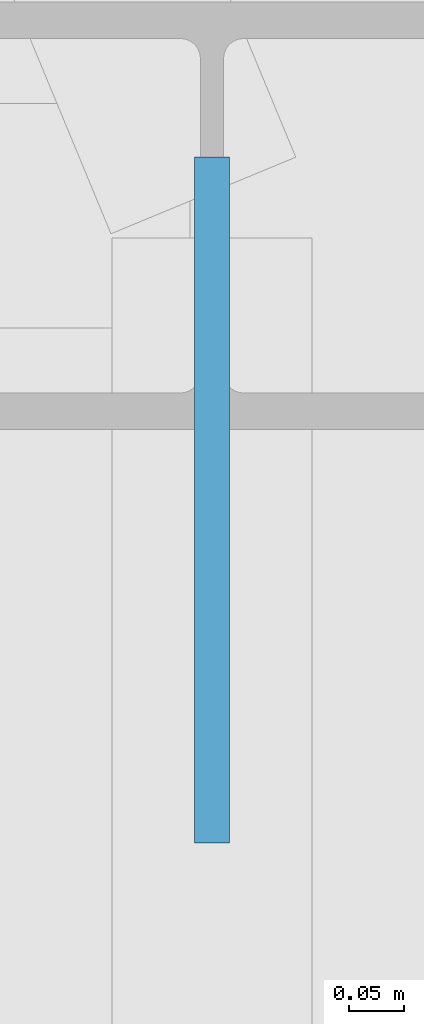
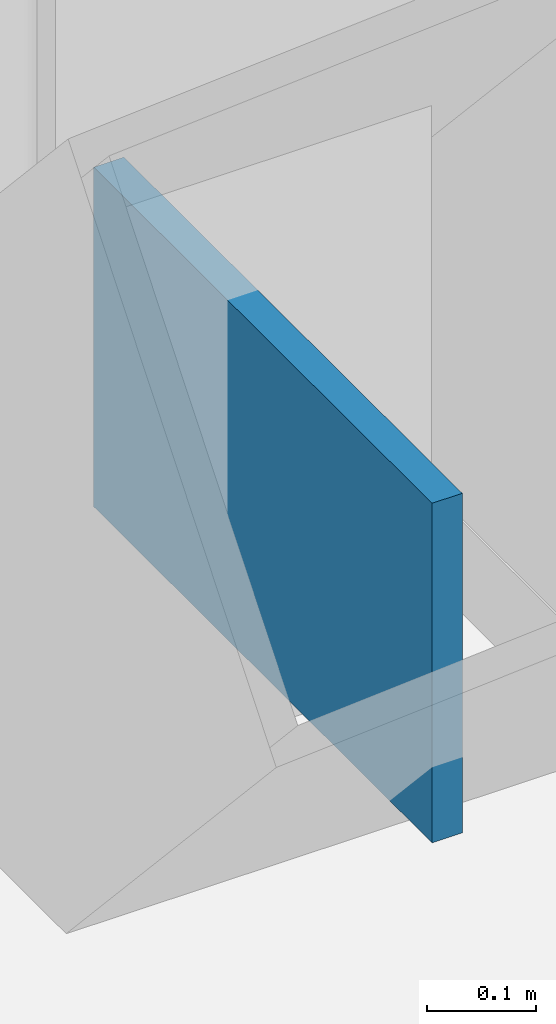
# One storey, part 33 of 38: 1 plate.
"""IFC4 building model written with IfcOpenShell, lengths in metres."""

from ifc_helpers import new_model, si_unit, direction, frame, origin, origin_2d, place, context, subcontext, project, spatial, rectangle, extrude, source, transform, mapped, material, layer, layer_set, type_object, type_shapes, element, save


model = new_model("IFC4")

# Units and contexts
model_context = context("Model", 3, precision=1e-05, world=origin(), true_north=direction((0.0, 1.0)))
body_context = subcontext(model_context, "Body", "Model", "MODEL_VIEW")
ifc_project = project(units=[si_unit("LENGTHUNIT", "METRE"), si_unit("AREAUNIT", "SQUARE_METRE"), si_unit("VOLUMEUNIT", "CUBIC_METRE"), si_unit("PLANEANGLEUNIT", "RADIAN"), si_unit("MASSUNIT", "GRAM", prefix="KILO")], contexts=[model_context])

# Site, building, storey
site_placement = place(None, origin())
site = spatial("IfcSite", under=ifc_project, at=site_placement, CompositionType="ELEMENT")
building_placement = place(site_placement, origin())
building = spatial("IfcBuilding", under=site, at=building_placement, Name="Varnel Quay Broadcast Tower", CompositionType="ELEMENT")
storey_placement = place(building_placement, frame((0.0, 0.0, 118.199951171875)))
storey = spatial("IfcBuildingStorey", under=building, at=storey_placement, Name="L28", CompositionType="ELEMENT", Elevation=118.199951171875)

# Plate
ifc_material = material(Name="Structural Steel CSA G40.21 350WT", Category="steel")
ifc_layer = layer(ifc_material, 0.031982421875, Name="Structural Steel CSA G40.21 350WT")
ifc_layer_set = layer_set([ifc_layer], Name="Structural Steel CSA G40.21 350WT")
plate_type = type_object("IfcPlateType", Name="Plate_EndCap", PredefinedType="USERDEFINED", material=ifc_layer_set)
shared_shape = source(origin(), body_context, "Body", "SweptSolid", [
    extrude(rectangle(XDim=0.6201171875, YDim=0.031982421875, at=origin_2d()), origin(), (0.0, 0.0, 1.0), 0.3798828125),
])
type_shapes(plate_type, [shared_shape])
plate_placement = place(storey_placement, frame((63.050048828125, 35.343017578125, 0.110107421875), z_axis=(0.0, 0.0, 1.0), x_axis=(0.0, 1.0, 0.0)))
element("IfcPlate", 1, at=plate_placement, inside=storey, type_object=plate_type, Name="Zone 2 Mega-Brace E-FT3 Diag B1 End Connection Plate P0", ObjectType="CAP_PLATE", PredefinedType="USERDEFINED", context=body_context, shape_type="MappedRepresentation", body=[
    mapped(shared_shape, transform((0.0, 0.0, 0.0), x_axis=(1.0, 0.0, 0.0), y_axis=(0.0, 1.0, 0.0), z_axis=(0.0, 0.0, 1.0), scale=1.0)),
])

save(model, "model.ifc")
